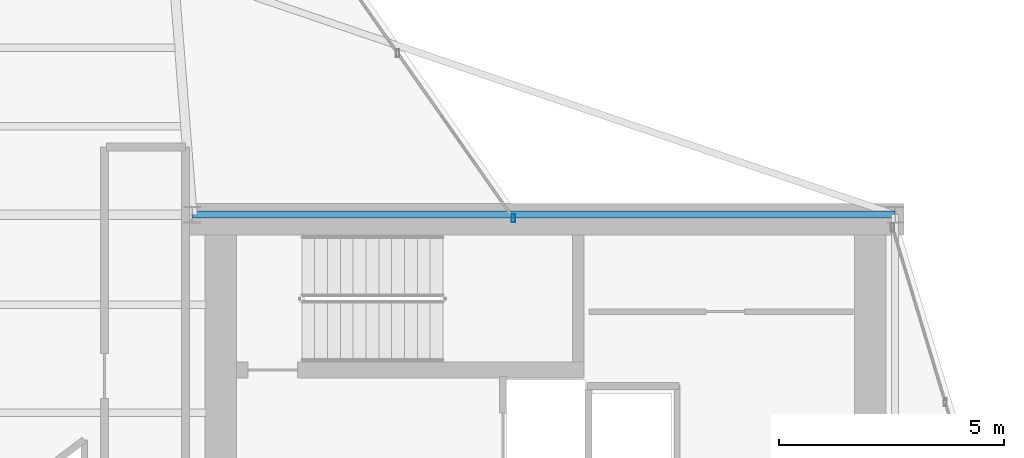
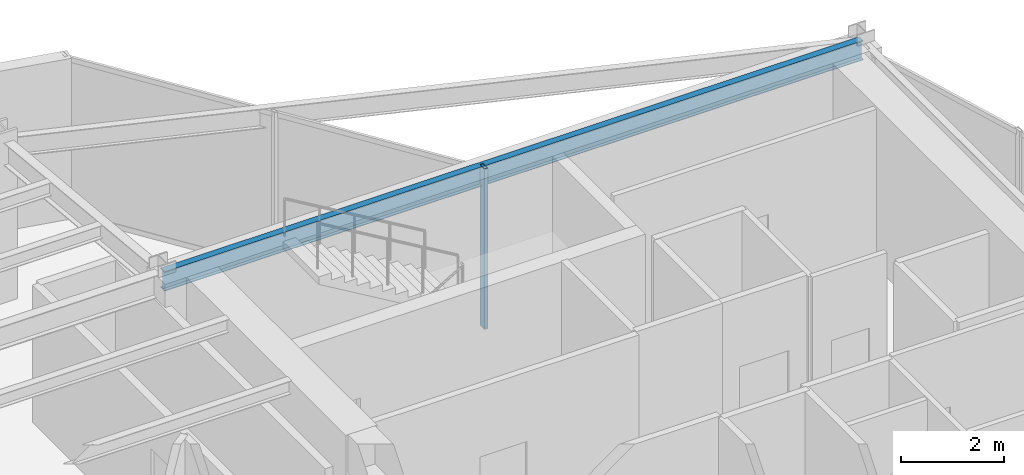
# One storey, part 15 of 24: 1 beam, 1 member, 1 element without a shape of its own.
"""IFC4 building model written with IfcOpenShell, lengths in metres."""

from ifc_helpers import new_model, si_unit, direction, frame, origin, origin_2d, place, context, subcontext, project, spatial, hollow_rectangle, i_section, extrude, material, layer, layer_set, material_profile, profile_set, type_object, element, aggregate, save


model = new_model("IFC4")

# Units and contexts
model_context = context("Model", 3, precision=1e-05, world=origin(), true_north=direction((0.0, 1.0)))
body_context = subcontext(model_context, "Body", "Model", "MODEL_VIEW")
ifc_project = project(units=[si_unit("LENGTHUNIT", "METRE"), si_unit("AREAUNIT", "SQUARE_METRE"), si_unit("VOLUMEUNIT", "CUBIC_METRE"), si_unit("PLANEANGLEUNIT", "RADIAN"), si_unit("MASSUNIT", "GRAM", prefix="KILO")], contexts=[model_context])

# Site, building, storey
site_placement = place(None, origin())
site = spatial("IfcSite", under=ifc_project, at=site_placement, CompositionType="ELEMENT")
building_placement = place(site_placement, origin())
building = spatial("IfcBuilding", under=site, at=building_placement, Name="Veymaron Broadcast Tower", CompositionType="ELEMENT")
storey_placement = place(building_placement, frame((0.0, 0.0, 220.199951171875)))
storey = spatial("IfcBuildingStorey", under=building, at=storey_placement, Name="L51", CompositionType="ELEMENT", Elevation=220.199951171875)

# Beam
ifc_material_1 = material(Name="Structural steel ASTM A992 Gr 50", Category="steel")
ifc_material_profile_1 = material_profile(ifc_material_1, i_section(OverallWidth=0.154052734375, OverallDepth=0.458984375, WebThickness=0.009033203125, FlangeThickness=0.015380859375, at=origin_2d()), Name="W460X68")
ifc_profile_set_1 = profile_set([ifc_material_profile_1], Name="Structural steel ASTM A992 Gr 50")
beam_type = type_object("IfcBeamType", Name="BM-SP2", PredefinedType="SPANDREL", material=ifc_profile_set_1)
beam_placement = place(storey_placement, frame((39.0, 32.0, 3.560546875), z_axis=(1.0, 0.0, 0.0), x_axis=(0.0, 1.0, 0.0)))
element("IfcBeam", 1, at=beam_placement, inside=storey, type_object=beam_type, Name="L51 primary structural floor girder", PredefinedType="SPANDREL", context=body_context, shape_type="SweptSolid", body=[
    extrude(i_section(OverallWidth=0.154052734375, OverallDepth=0.458984375, WebThickness=0.009033203125, FlangeThickness=0.015380859375, at=origin_2d()), origin(), (0.0, 0.0, 1.0), 15.60009765625),
])

# Curtain wall, member
ifc_material_2 = material(Name="Anodised aluminium AA 6063-T6 and laminated low-E dark glass", Category="aluminium")
ifc_layer = layer(ifc_material_2, 0.179931640625)
ifc_layer_set = layer_set([ifc_layer], Name="Anodised aluminium AA 6063-T6 and laminated low-E dark glass")
curtain_wall_type = type_object("IfcCurtainWallType", Name="CW-SYS-05", PredefinedType="NOTDEFINED", material=ifc_layer_set)
curtain_wall_placement = place(storey_placement, origin())
curtain_wall = element("IfcCurtainWall", 2, at=curtain_wall_placement, inside=storey, type_object=curtain_wall_type, Name="L51 dark-glass curtain wall CW-L51-E5-1", PredefinedType="NOTDEFINED")
ifc_material_3 = material(Name="Anodised aluminium AA 6063-T6", Category="aluminium")
ifc_material_profile_2 = material_profile(ifc_material_3, hollow_rectangle(XDim=0.074951171875, YDim=0.179931640625, WallThickness=0.0048828125, at=origin_2d()), Name="AL180X75X5")
ifc_profile_set_2 = profile_set([ifc_material_profile_2], Name="Anodised aluminium AA 6063-T6")
member_type = type_object("IfcMemberType", Name="CW-MUL-02", PredefinedType="MULLION", material=ifc_profile_set_2)
member_placement = place(storey_placement, frame((46.124755859375, 31.919677734375, 0.0), z_axis=(0.0, 0.0, 1.0), x_axis=(1.0, 0.0, 0.0)))
member = element("IfcMember", 3, at=member_placement, type_object=member_type, Name="CW-L51-E5-1 mullion 0", PredefinedType="MULLION", context=body_context, shape_type="SweptSolid", body=[
    extrude(hollow_rectangle(XDim=0.074951171875, YDim=0.179931640625, WallThickness=0.0048828125, at=origin_2d()), origin(), (0.0, 0.0, 1.0), 3.7900390625),
])
aggregate(curtain_wall, [member])

save(model, "model.ifc")
